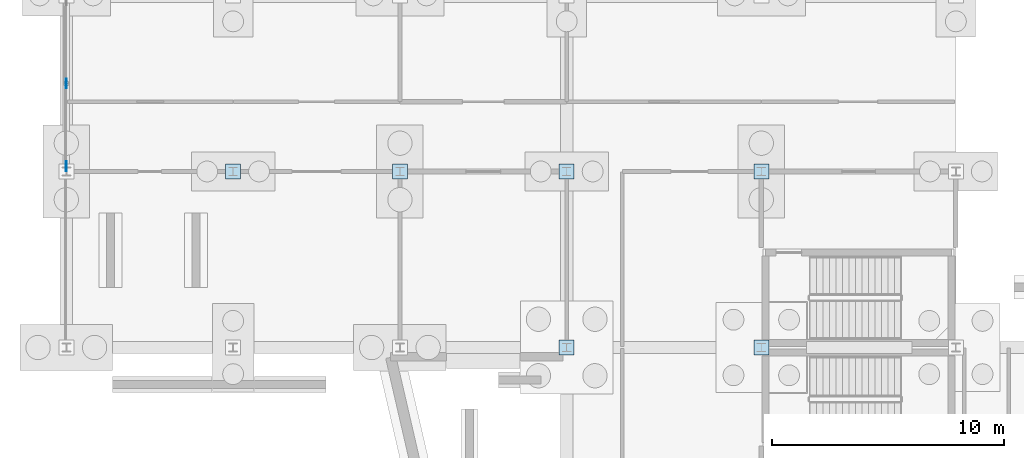
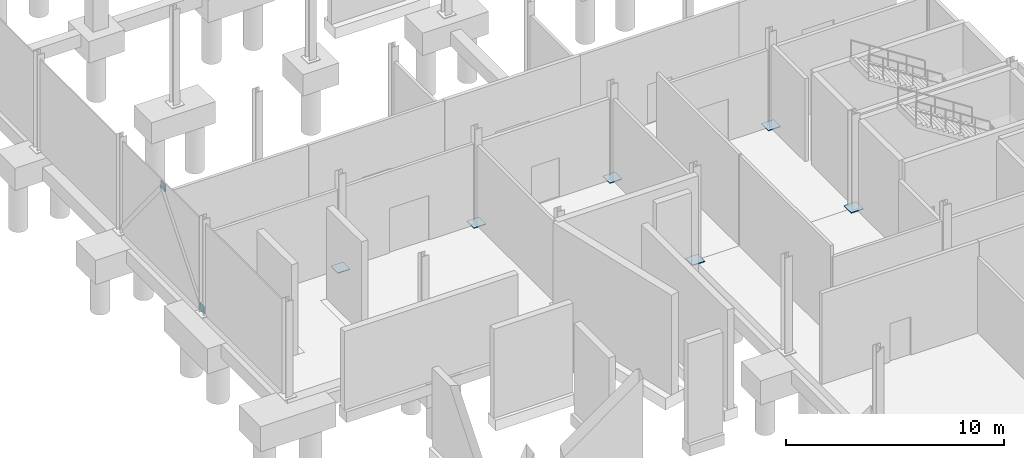
# One storey, part 34 of 61: 8 plates.
"""IFC4 building model written with IfcOpenShell, lengths in metres."""

from ifc_helpers import new_model, si_unit, direction, frame, origin, origin_2d, place, context, subcontext, project, spatial, rectangle, extrude, material, layer, layer_set, type_object, element, save


model = new_model("IFC4")

# Units and contexts
model_context = context("Model", 3, precision=1e-05, world=origin(), true_north=direction((0.0, 1.0)))
body_context = subcontext(model_context, "Body", "Model", "MODEL_VIEW")
ifc_project = project(units=[si_unit("LENGTHUNIT", "METRE"), si_unit("AREAUNIT", "SQUARE_METRE"), si_unit("VOLUMEUNIT", "CUBIC_METRE"), si_unit("PLANEANGLEUNIT", "RADIAN"), si_unit("MASSUNIT", "GRAM", prefix="KILO")], contexts=[model_context])

# Site, building, storey
site_placement = place(None, origin())
site = spatial("IfcSite", under=ifc_project, at=site_placement, CompositionType="ELEMENT")
building_placement = place(site_placement, origin())
building = spatial("IfcBuilding", under=site, at=building_placement, Name="Calvrana Isthmian Art Gallery", CompositionType="ELEMENT")
storey_placement = place(building_placement, frame((0.0, 0.0, -5.39990234375)))
storey = spatial("IfcBuildingStorey", under=building, at=storey_placement, Name="B1", CompositionType="ELEMENT", Elevation=-5.39990234375)

# Plates
ifc_material = material(Name="Steel ASTM A572 Gr 50", Category="steel")
ifc_layer_1 = layer(ifc_material, 0.0380859375, Name="Steel ASTM A572 Gr 50")
ifc_layer_set_1 = layer_set([ifc_layer_1], Name="Steel ASTM A572 Gr 50")
plate_type_1 = type_object("IfcPlateType", Name="PL-BASE-38", PredefinedType="USERDEFINED", material=ifc_layer_set_1)
for number, where, z_axis, x_axis, name in (
    (1, (7.199951171875, 54.39990234375, -0.000244140625), (0.0, 0.0, 1.0), (1.0, 0.0, 0.0), "Base plate 02/H"),
    (2, (14.39990234375, 54.39990234375, -0.000244140625), (0.0, 0.0, 1.0), (1.0, 0.0, 0.0), "Base plate 03/H"),
    (3, (21.60009765625, 54.39990234375, -0.000244140625), (0.0, 0.0, 1.0), (1.0, 0.0, 0.0), "Base plate 04/H"),
    (4, (30.0, 54.39990234375, -0.000244140625), (0.0, 0.0, 1.0), (1.0, 0.0, 0.0), "Base plate 05/H"),
):
    element("IfcPlate", number, at=place(storey_placement, frame(where, z_axis=z_axis, x_axis=x_axis)), inside=storey, type_object=plate_type_1, Name=name, ObjectType="BASE PLATE", PredefinedType="USERDEFINED", context=body_context, shape_type="SweptSolid", body=[
        extrude(rectangle(XDim=0.64990234375, YDim=0.64990234375, at=origin_2d()), origin(), (0.0, 0.0, 1.0), 0.0380859375),
    ])
ifc_layer_2 = layer(ifc_material, 0.044921875, Name="Steel ASTM A572 Gr 50")
ifc_layer_set_2 = layer_set([ifc_layer_2], Name="Steel ASTM A572 Gr 50")
plate_type_2 = type_object("IfcPlateType", Name="PL-BASE-45", PredefinedType="USERDEFINED", material=ifc_layer_set_2)
for number, where, z_axis, x_axis, name in (
    (5, (21.60009765625, 46.800048828125, 0.0), (0.0, 0.0, 1.0), (1.0, 0.0, 0.0), "Base plate 04/G"),
    (6, (30.0, 46.800048828125, 0.0), (0.0, 0.0, 1.0), (1.0, 0.0, 0.0), "Base plate 05/G"),
):
    element("IfcPlate", number, at=place(storey_placement, frame(where, z_axis=z_axis, x_axis=x_axis)), inside=storey, type_object=plate_type_2, Name=name, ObjectType="BASE PLATE", PredefinedType="USERDEFINED", context=body_context, shape_type="SweptSolid", body=[
        extrude(rectangle(XDim=0.64990234375, YDim=0.64990234375, at=origin_2d()), origin(), (0.0, 0.0, 1.0), 0.044921875),
    ])
ifc_layer_3 = layer(ifc_material, 0.031982421875, Name="Steel ASTM A572 Gr 50")
ifc_layer_set_3 = layer_set([ifc_layer_3], Name="Steel ASTM A572 Gr 50")
plate_type_3 = type_object("IfcPlateType", Name="PL-GUSSET-32", PredefinedType="USERDEFINED", material=ifc_layer_set_3)
for number, where, z_axis, x_axis, name in (
    (7, (0.0, 54.6201171875, -0.06005859375), (0.0, 0.0, 1.0), (1.0, 0.0, 0.0), "Chevron brace gusset plate B1-16L"),
    (8, (0.0, 58.199951171875, 4.598876953125), (0.0, 0.0, 1.0), (1.0, 0.0, 0.0), "Chevron brace gusset plate B1-16M"),
):
    element("IfcPlate", number, at=place(storey_placement, frame(where, z_axis=z_axis, x_axis=x_axis)), inside=storey, type_object=plate_type_3, Name=name, ObjectType="GUSSET PLATE", PredefinedType="USERDEFINED", context=body_context, shape_type="SweptSolid", body=[
        extrude(rectangle(XDim=0.031982421875, YDim=0.419921875, at=origin_2d()), origin(), (0.0, 0.0, 1.0), 0.419921875),
    ])

save(model, "model.ifc")
